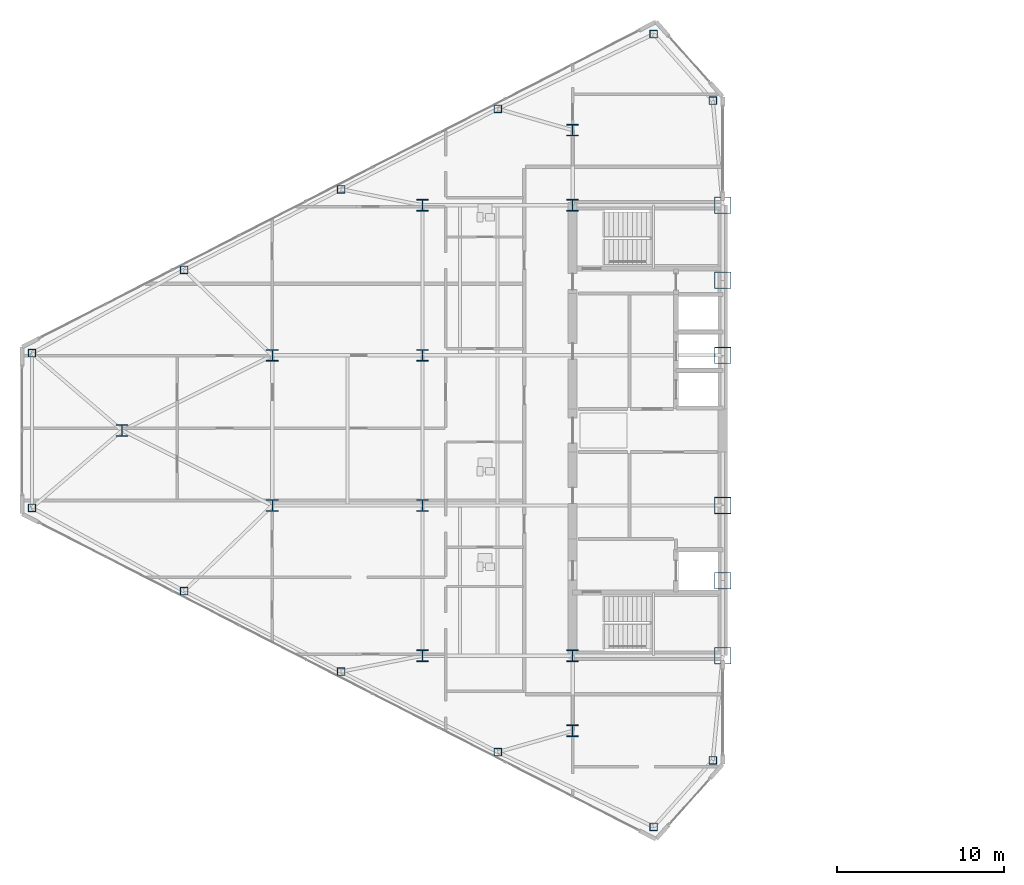
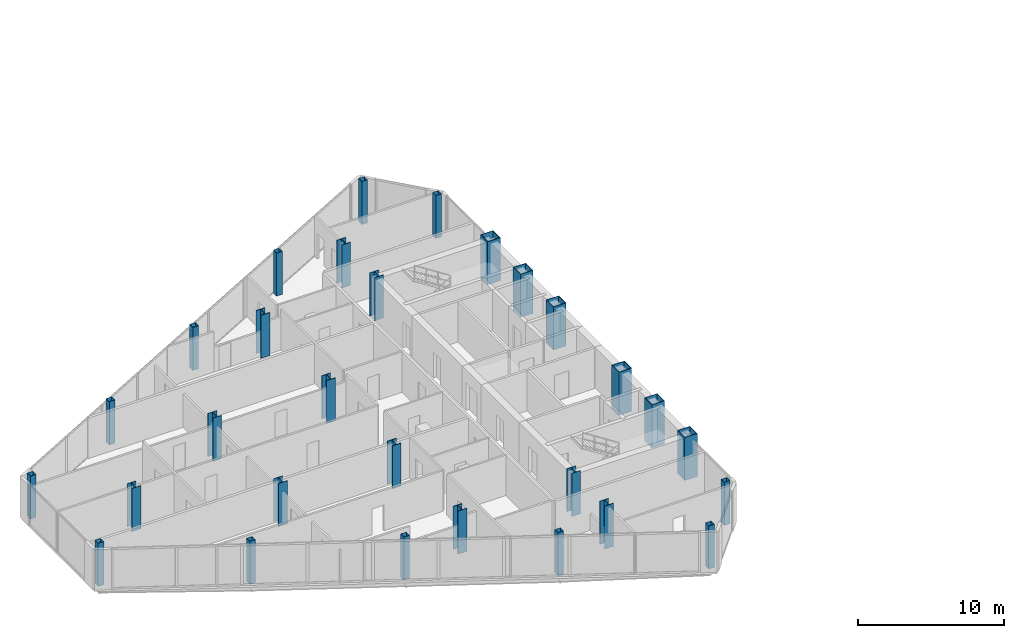
# One storey, part 1 of 23: 29 columns.
"""IFC4 building model written with IfcOpenShell, lengths in metres."""

import ifcopenshell
import ifcopenshell.guid

model = None  # the IFC model being written
_history = None  # IfcOwnerHistory: only IFC2X3 demands one
_inside = {}  # id of a spatial element -> (the spatial element, [elements in it])
_under = {}  # id of a project, library or spatial element -> (it, [spatial elements below it])
_declared = {}  # id of a project -> (the project, [libraries it declares])
_typed = {}  # id of a type object -> (the type object, [elements of that type])
_made_of = {}  # id of a material, layer set ... -> (it, [elements and type objects made of it])


def new_model(schema):
    """Start an empty IFC model of exactly this schema.

    Asked for "IFC4X3", IfcOpenShell would pick the latest addendum, in which some entities
    have other attributes; the version numbers below select the first issue.
    IFC2X3 requires an IfcOwnerHistory on every rooted entity: one is made here for all.
    """
    global model, _history
    if schema == "IFC4X3":
        model = ifcopenshell.file(schema_version=(4, 3, 0, 0))
    else:
        model = ifcopenshell.file(schema=schema)
    _inside.clear()
    _under.clear()
    _declared.clear()
    _typed.clear()
    _made_of.clear()
    _history = None
    if model.schema == "IFC2X3":
        org = make("IfcOrganization", Name="unknown")
        user = make(
            "IfcPersonAndOrganization",
            ThePerson=make("IfcPerson", FamilyName="unknown"),
            TheOrganization=org,
        )
        app = make(
            "IfcApplication",
            ApplicationDeveloper=org,
            Version="unknown",
            ApplicationFullName="unknown",
            ApplicationIdentifier="unknown",
        )
        _history = make(
            "IfcOwnerHistory",
            OwningUser=user,
            OwningApplication=app,
            ChangeAction="ADDED",
            CreationDate=0,
        )
    return model


def make(cls, **values):
    """One entity of the class cls with the attributes given. An attribute that is None is left unset."""
    return model.create_entity(
        cls, **{name: value for name, value in values.items() if value is not None}
    )


def rooted(cls, **values):
    """An entity with a GlobalId (a new one), such as an element, a storey or a relation."""
    return make(cls, GlobalId=ifcopenshell.guid.new(), OwnerHistory=_history, **values)


def si_unit(unit_type, name, prefix=None):
    """IfcSIUnit, for example si_unit("LENGTHUNIT", "METRE", prefix="MILLI")."""
    return make("IfcSIUnit", UnitType=unit_type, Prefix=prefix, Name=name)


def assignment(units):
    """IfcUnitAssignment: the units of a project."""
    return None if units is None else make("IfcUnitAssignment", Units=units)


def point(xyz):
    """IfcCartesianPoint."""
    return None if xyz is None else make("IfcCartesianPoint", Coordinates=xyz)


def direction(xyz):
    """IfcDirection."""
    return None if xyz is None else make("IfcDirection", DirectionRatios=xyz)


def frame(location, z_axis=None, x_axis=None):
    """IfcAxis2Placement3D, a coordinate frame: its origin and axes. An axis left out is left unset."""
    return make(
        "IfcAxis2Placement3D",
        Location=point(location),
        Axis=direction(z_axis),
        RefDirection=direction(x_axis),
    )


def frame_2d(location, x_axis=None):
    """IfcAxis2Placement2D, a coordinate frame in the plane: its origin and x axis."""
    return make(
        "IfcAxis2Placement2D", Location=point(location), RefDirection=direction(x_axis)
    )


def origin():
    """The frame at (0, 0, 0) with its axes left unset."""
    return frame((0.0, 0.0, 0.0))


def origin_2d():
    """The frame at (0, 0) in the plane with its x axis left unset."""
    return frame_2d((0.0, 0.0))


def place(relative_to, where):
    """IfcLocalPlacement: puts the frame where relative to a parent placement (None: the world)."""
    return make(
        "IfcLocalPlacement", PlacementRelTo=relative_to, RelativePlacement=where
    )


def context(
    kind, dimensions, precision=None, world=None, true_north=None, identifier=None
):
    """IfcGeometricRepresentationContext, for example the 3D "Model" context."""
    return make(
        "IfcGeometricRepresentationContext",
        ContextIdentifier=identifier,
        ContextType=kind,
        CoordinateSpaceDimension=dimensions,
        Precision=precision,
        WorldCoordinateSystem=world,
        TrueNorth=true_north,
    )


def subcontext(parent, identifier, kind, view, scale=None):
    """IfcGeometricRepresentationSubContext, for example "Body" below "Model"."""
    return make(
        "IfcGeometricRepresentationSubContext",
        ContextIdentifier=identifier,
        ContextType=kind,
        ParentContext=parent,
        TargetScale=scale,
        TargetView=view,
    )


def project(units=None, contexts=None):
    """IfcProject with its units and contexts."""
    return rooted(
        "IfcProject",
        Name="project",
        RepresentationContexts=contexts,
        UnitsInContext=assignment(units),
    )


def spatial(cls, under=None, at=None, **own):
    """A site, building, storey or space (cls), placed at a placement, below another one or the project."""
    s = rooted(cls, ObjectPlacement=at, **own)
    if under is not None:
        _under.setdefault(under.id(), (under, []))[1].append(s)
    return s


def profile(cls, at=None, kind="AREA", **sizes):
    """A parametric profile (cls). Its sizes go by their IFC names, for example OverallWidth=200.0."""
    return make(cls, ProfileType=kind, Position=at, **sizes)


def hollow_rectangle(**sizes):
    """IfcRectangleHollowProfileDef."""
    return profile("IfcRectangleHollowProfileDef", **sizes)


def i_section(**sizes):
    """IfcIShapeProfileDef."""
    return profile("IfcIShapeProfileDef", **sizes)


def extrude(swept, where, along, depth):
    """IfcExtrudedAreaSolid: the profile swept, set in the frame where, extruded along a direction by depth."""
    return make(
        "IfcExtrudedAreaSolid",
        SweptArea=swept,
        Position=where,
        ExtrudedDirection=direction(along),
        Depth=depth,
    )


def shape(context_of_items, identifier, shape_type, items):
    """IfcShapeRepresentation: the items that make up one representation, for example the "Body"."""
    return make(
        "IfcShapeRepresentation",
        ContextOfItems=context_of_items,
        RepresentationIdentifier=identifier,
        RepresentationType=shape_type,
        Items=items,
    )


def source(mapping_origin, context_of_items, identifier, shape_type, items):
    """IfcRepresentationMap: a shape defined once, which mapped items show again and again."""
    return make(
        "IfcRepresentationMap",
        MappingOrigin=mapping_origin,
        MappedRepresentation=shape(context_of_items, identifier, shape_type, items),
    )


def transform(
    local_origin,
    x_axis=None,
    y_axis=None,
    z_axis=None,
    scale=None,
    scale2=None,
    scale3=None,
    uniform=True,
):
    """IfcCartesianTransformationOperator3D, or its non-uniform kind. x_axis, y_axis, z_axis: its Axis1, 2, 3."""
    if uniform:
        return make(
            "IfcCartesianTransformationOperator3D",
            Axis1=direction(x_axis),
            Axis2=direction(y_axis),
            LocalOrigin=point(local_origin),
            Scale=scale,
            Axis3=direction(z_axis),
        )
    return make(
        "IfcCartesianTransformationOperator3DnonUniform",
        Axis1=direction(x_axis),
        Axis2=direction(y_axis),
        LocalOrigin=point(local_origin),
        Scale=scale,
        Axis3=direction(z_axis),
        Scale2=scale2,
        Scale3=scale3,
    )


def mapped(mapping_source, mapping_target):
    """IfcMappedItem: shows the shape of a source again, moved by a transform."""
    return make(
        "IfcMappedItem", MappingSource=mapping_source, MappingTarget=mapping_target
    )


def material(Name=None, Category=None):
    """IfcMaterial."""
    return make("IfcMaterial", Name=Name, Category=Category)


def material_profile(
    of_material, cross_section, Name=None, Category=None, Priority=None
):
    """IfcMaterialProfile: a cross section and its material."""
    return make(
        "IfcMaterialProfile",
        Name=Name,
        Material=of_material,
        Profile=cross_section,
        Priority=Priority,
        Category=Category,
    )


def profile_set(profiles, Name=None, composite=None):
    """IfcMaterialProfileSet."""
    return make(
        "IfcMaterialProfileSet",
        Name=Name,
        MaterialProfiles=profiles,
        CompositeProfile=composite,
    )


def made_of(thing, what):
    """Note that an element or type object is made of a material, layer set ...; save() writes the relation."""
    if what is not None:
        _made_of.setdefault(what.id(), (what, []))[1].append(thing)
    return thing


def type_object(cls, material=None, **own):
    """A type object (cls), such as IfcWallType, which elements share."""
    return made_of(rooted(cls, **own), material)


def type_shapes(of_type, sources):
    """Give a type object the sources (RepresentationMaps) that its elements show as mapped items."""
    of_type.RepresentationMaps = sources


def element(
    cls,
    number,
    at=None,
    inside=None,
    cuts=None,
    type_object=None,
    material=None,
    context=None,
    identifier="Body",
    shape_type=None,
    held_by="IfcProductDefinitionShape",
    body=None,
    shapes=None,
    **own,
):
    """One element of the class cls, such as IfcWall. Its Tag is "e" and its number.

    at: its placement. inside: the storey or other place that contains it. cuts: it is an
    opening in that element (IfcRelVoidsElement). A single representation is given by context,
    identifier, shape_type and body (its items); several are given by shapes. held_by: the class
    of the entity that holds the representations. save() writes the other relations.
    """
    e = rooted(cls, Tag="e%d" % number, ObjectPlacement=at, **own)
    if body is not None:
        shapes = [shape(context, identifier, shape_type, body)]
    if shapes is not None:
        e.Representation = make(held_by, Representations=shapes)
    if inside is not None:
        _inside.setdefault(inside.id(), (inside, []))[1].append(e)
    if cuts is not None:
        rooted(
            "IfcRelVoidsElement", RelatingBuildingElement=cuts, RelatedOpeningElement=e
        )
    if type_object is not None:
        _typed.setdefault(type_object.id(), (type_object, []))[1].append(e)
    return made_of(e, material)


def aggregate(whole, parts):
    """IfcRelAggregates: a whole, such as a stair, and the parts it consists of."""
    return rooted("IfcRelAggregates", RelatingObject=whole, RelatedObjects=parts)


def save(model, path):
    """Write the relations noted so far, then the file.

    IfcRelAggregates (storeys below a building ...), IfcRelContainedInSpatialStructure (elements
    in a storey), IfcRelDefinesByType, IfcRelAssociatesMaterial and IfcRelDeclares: one each for
    every whole, place, type object, material and project.
    """
    for whole, parts in _under.values():
        aggregate(whole, parts)
    for where, things in _inside.values():
        rooted(
            "IfcRelContainedInSpatialStructure",
            RelatedElements=things,
            RelatingStructure=where,
        )
    for kind, things in _typed.values():
        rooted("IfcRelDefinesByType", RelatedObjects=things, RelatingType=kind)
    for what, things in _made_of.values():
        rooted("IfcRelAssociatesMaterial", RelatedObjects=things, RelatingMaterial=what)
    for by, libraries in _declared.values():
        rooted("IfcRelDeclares", RelatingContext=by, RelatedDefinitions=libraries)
    model.write(path)


model = new_model("IFC4")

# Units and contexts
model_context = context("Model", 3, precision=1e-05, world=origin(), true_north=direction((0.0, 1.0)))
body_context = subcontext(model_context, "Body", "Model", "MODEL_VIEW")
ifc_project = project(units=[si_unit("LENGTHUNIT", "METRE"), si_unit("AREAUNIT", "SQUARE_METRE"), si_unit("VOLUMEUNIT", "CUBIC_METRE"), si_unit("PLANEANGLEUNIT", "RADIAN"), si_unit("MASSUNIT", "GRAM", prefix="KILO")], contexts=[model_context])

# Site, building, storey
site_placement = place(None, origin())
site = spatial("IfcSite", under=ifc_project, at=site_placement, CompositionType="ELEMENT")
building_placement = place(site_placement, origin())
building = spatial("IfcBuilding", under=site, at=building_placement, Name="Seokmaru Belvedere", CompositionType="ELEMENT")
storey_placement = place(building_placement, frame((0.0, 0.0, 154.800048828125)))
storey = spatial("IfcBuildingStorey", under=building, at=storey_placement, Name="L41", CompositionType="ELEMENT", Elevation=154.800048828125)

# Columns
ifc_material_1 = material(Name="Steel HSA650 (650 MPa)", Category="steel")
ifc_material_profile_1 = material_profile(ifc_material_1, hollow_rectangle(XDim=1.0, YDim=1.0, WallThickness=0.0419921875, at=origin_2d()), Name="BOX-1000x1000x42")
ifc_profile_set_1 = profile_set([ifc_material_profile_1], Name="Steel HSA650 (650 MPa)")
column_type_1 = type_object("IfcColumnType", Name="Portal Spine Column BOX-1000", PredefinedType="COLUMN", material=ifc_profile_set_1)
shared_shape_1 = source(origin(), body_context, "Body", "SweptSolid", [
    extrude(hollow_rectangle(XDim=1.0, YDim=1.0, WallThickness=0.0419921875, at=origin_2d()), origin(), (0.0, 0.0, 1.0), 3.599853515625),
])
type_shapes(column_type_1, [shared_shape_1])
for number, where, z_axis, x_axis, name in (
    (1, (-27.5, -13.5, 0.0), (0.0, 0.0, 1.0), (1.0, 0.0, 0.0), "L41 Column WS1"),
    (2, (-27.5, -9.0, 0.0), (0.0, 0.0, 1.0), (1.0, 0.0, 0.0), "L41 Column WS2"),
    (3, (-27.5, -4.5, 0.0), (0.0, 0.0, 1.0), (1.0, 0.0, 0.0), "L41 Column WS3"),
    (4, (-27.5, 4.5, 0.0), (0.0, 0.0, 1.0), (1.0, 0.0, 0.0), "L41 Column WS4"),
    (5, (-27.5, 9.0, 0.0), (0.0, 0.0, 1.0), (1.0, 0.0, 0.0), "L41 Column WS5"),
    (6, (-27.5, 13.5, 0.0), (0.0, 0.0, 1.0), (1.0, 0.0, 0.0), "L41 Column WS6"),
):
    element("IfcColumn", number, at=place(storey_placement, frame(where, z_axis=z_axis, x_axis=x_axis)), inside=storey, type_object=column_type_1, Name=name, PredefinedType="COLUMN", context=body_context, shape_type="MappedRepresentation", body=[
        mapped(shared_shape_1, transform((0.0, 0.0, 0.0), scale=1.0)),
    ])
ifc_material_2 = material(Name="Steel SM355 (355 MPa)", Category="steel")
ifc_material_profile_2 = material_profile(ifc_material_2, i_section(OverallWidth=0.699951171875, OverallDepth=0.699951171875, WebThickness=0.028076171875, FlangeThickness=0.044921875, at=origin_2d()), Name="H-700x700x28x45")
ifc_profile_set_2 = profile_set([ifc_material_profile_2], Name="Steel SM355 (355 MPa)")
column_type_2 = type_object("IfcColumnType", Name="Mid Interior Column H-700", PredefinedType="COLUMN", material=ifc_profile_set_2)
shared_shape_2 = source(origin(), body_context, "Body", "SweptSolid", [
    extrude(i_section(OverallWidth=0.699951171875, OverallDepth=0.699951171875, WebThickness=0.028076171875, FlangeThickness=0.044921875, at=origin_2d()), origin(), (0.0, 0.0, 1.0), 3.599853515625),
])
type_shapes(column_type_2, [shared_shape_2])
for number, where, z_axis, x_axis, name in (
    (7, (-36.5, -18.0, 0.0), (0.0, 0.0, 1.0), (1.0, 0.0, 0.0), "L41 Column WC1"),
    (8, (-36.5, -13.5, 0.0), (0.0, 0.0, 1.0), (1.0, 0.0, 0.0), "L41 Column WC2"),
    (9, (-36.5, 13.5, 0.0), (0.0, 0.0, 1.0), (1.0, 0.0, 0.0), "L41 Column WC3"),
    (10, (-36.5, 18.0, 0.0), (0.0, 0.0, 1.0), (1.0, 0.0, 0.0), "L41 Column WC4"),
    (11, (-45.5, -13.5, 0.0), (0.0, 0.0, 1.0), (1.0, 0.0, 0.0), "L41 Column WG5_1"),
    (12, (-45.5, -4.5, 0.0), (0.0, 0.0, 1.0), (1.0, 0.0, 0.0), "L41 Column WG5_2"),
    (13, (-45.5, 4.5, 0.0), (0.0, 0.0, 1.0), (1.0, 0.0, 0.0), "L41 Column WG5_3"),
    (14, (-45.5, 13.5, 0.0), (0.0, 0.0, 1.0), (1.0, 0.0, 0.0), "L41 Column WG5_4"),
    (15, (-54.5, -4.5, 0.0), (0.0, 0.0, 1.0), (1.0, 0.0, 0.0), "L41 Column WG4P_1"),
    (16, (-54.5, 4.5, 0.0), (0.0, 0.0, 1.0), (1.0, 0.0, 0.0), "L41 Column WG4P_2"),
    (17, (-63.5, 0.0, 0.0), (0.0, 0.0, 1.0), (1.0, 0.0, 0.0), "L41 Column WG3P_1"),
):
    element("IfcColumn", number, at=place(storey_placement, frame(where, z_axis=z_axis, x_axis=x_axis)), inside=storey, type_object=column_type_2, Name=name, PredefinedType="COLUMN", context=body_context, shape_type="MappedRepresentation", body=[
        mapped(shared_shape_2, transform((0.0, 0.0, 0.0), scale=1.0)),
    ])
ifc_material_profile_3 = material_profile(ifc_material_2, hollow_rectangle(XDim=0.449951171875, YDim=0.449951171875, WallThickness=0.01806640625, at=origin_2d()), Name="HSS-450x450x18")
ifc_profile_set_3 = profile_set([ifc_material_profile_3], Name="Steel SM355 (355 MPa)")
column_type_3 = type_object("IfcColumnType", Name="Perimeter Facet Column HSS-450", PredefinedType="COLUMN", material=ifc_profile_set_3)
shared_shape_3 = source(origin(), body_context, "Body", "SweptSolid", [
    extrude(hollow_rectangle(XDim=0.449951171875, YDim=0.449951171875, WallThickness=0.01806640625, at=origin_2d()), origin(), (0.0, 0.0, 1.0), 3.599853515625),
])
type_shapes(column_type_3, [shared_shape_3])
for number, where, z_axis, x_axis, name in (
    (18, (-28.10009765625, -19.77197265625, 0.0), (0.0, 0.0, 1.0), (1.0, 0.0, 0.0), "L41 Column WF1"),
    (19, (-28.10009765625, 19.77197265625, 0.0), (0.0, 0.0, 1.0), (1.0, 0.0, 0.0), "L41 Column WF2"),
    (20, (-31.6396484375, 23.75390625, 0.0), (0.0, 0.0, 1.0), (1.0, 0.0, 0.0), "L41 Column WF3"),
    (21, (-68.89990234375, 4.633544921875, 0.0), (0.0, 0.0, 1.0), (1.0, 0.0, 0.0), "L41 Column WF4"),
    (22, (-68.89990234375, -4.633544921875, 0.0), (0.0, 0.0, 1.0), (1.0, 0.0, 0.0), "L41 Column WF5"),
    (23, (-31.6396484375, -23.75390625, 0.0), (0.0, 0.0, 1.0), (1.0, 0.0, 0.0), "L41 Column WF6"),
    (24, (-40.975830078125, -19.277587890625, 0.0), (0.0, 0.0, 1.0), (1.0, 0.0, 0.0), "L41 Column WFLK_S1"),
    (25, (-50.377197265625, -14.453369140625, 0.0), (0.0, 0.0, 1.0), (1.0, 0.0, 0.0), "L41 Column WFLK_S2"),
    (26, (-59.778564453125, -9.62890625, 0.0), (0.0, 0.0, 1.0), (1.0, 0.0, 0.0), "L41 Column WFLK_S3"),
    (27, (-40.975830078125, 19.277587890625, 0.0), (0.0, 0.0, 1.0), (1.0, 0.0, 0.0), "L41 Column WFLK_N1"),
    (28, (-50.377197265625, 14.453369140625, 0.0), (0.0, 0.0, 1.0), (1.0, 0.0, 0.0), "L41 Column WFLK_N2"),
    (29, (-59.778564453125, 9.62890625, 0.0), (0.0, 0.0, 1.0), (1.0, 0.0, 0.0), "L41 Column WFLK_N3"),
):
    element("IfcColumn", number, at=place(storey_placement, frame(where, z_axis=z_axis, x_axis=x_axis)), inside=storey, type_object=column_type_3, Name=name, PredefinedType="COLUMN", context=body_context, shape_type="MappedRepresentation", body=[
        mapped(shared_shape_3, transform((0.0, 0.0, 0.0), scale=1.0)),
    ])

save(model, "model.ifc")
